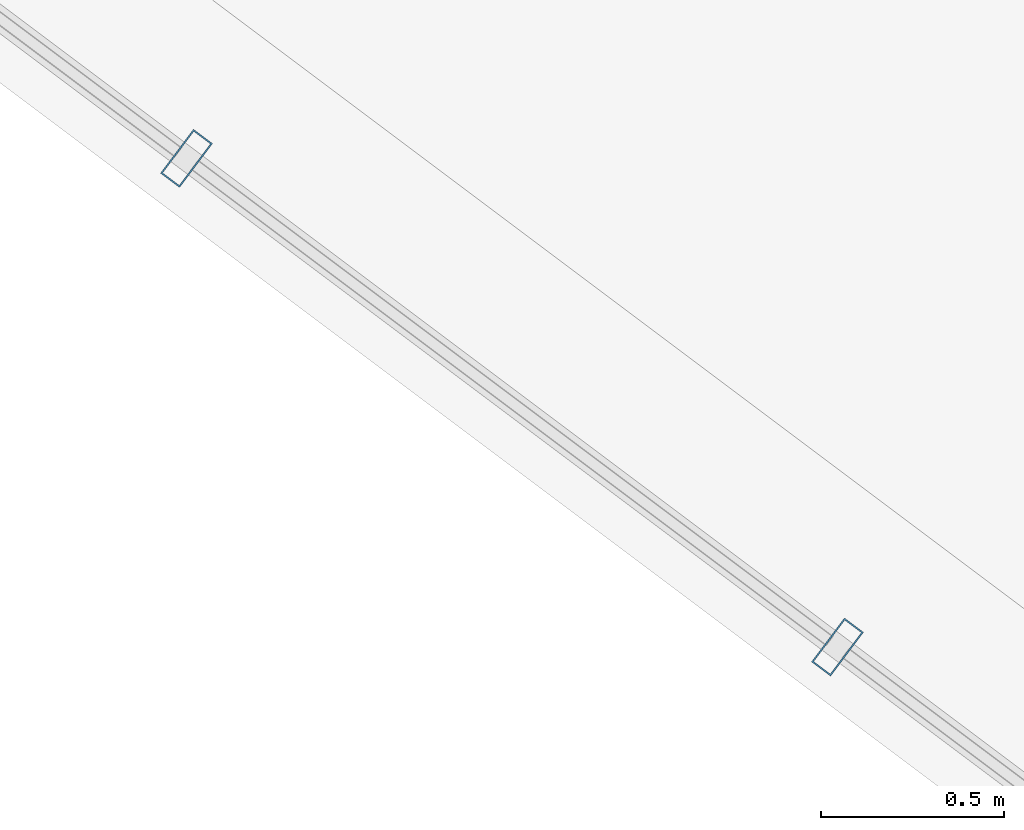
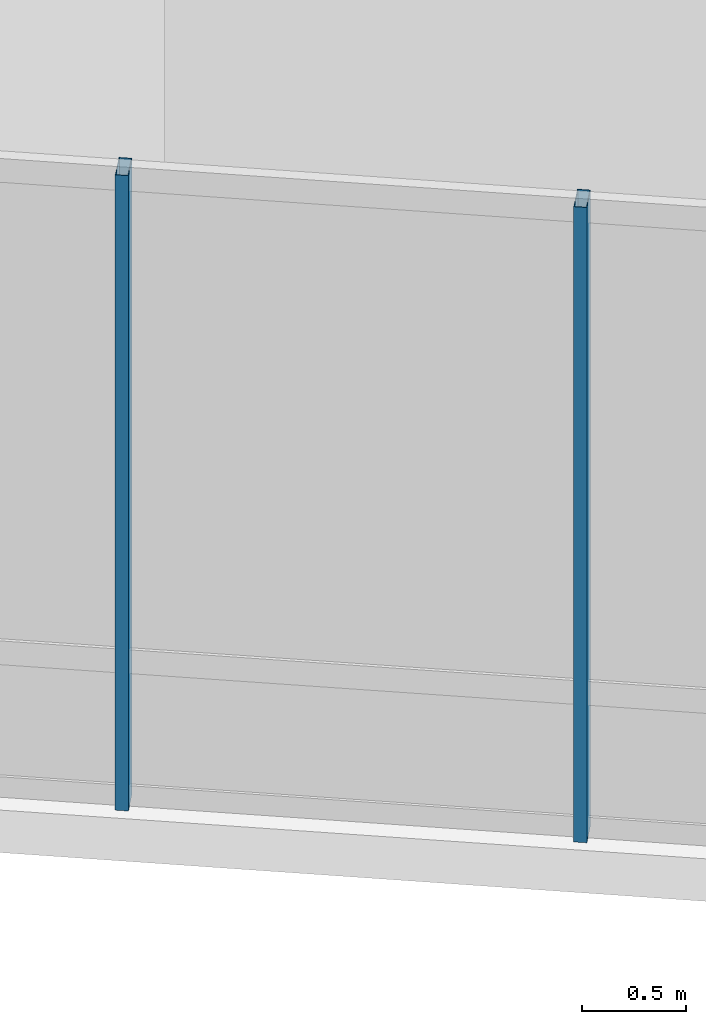
# One storey, part 4 of 31: 2 members, 1 element without a shape of its own.
"""IFC4 building model written with IfcOpenShell, lengths in metres."""

from ifc_helpers import new_model, si_unit, direction, frame, origin, origin_2d, place, context, subcontext, project, spatial, hollow_rectangle, extrude, material, layer, layer_set, material_profile, profile_set, type_object, element, aggregate, save


model = new_model("IFC4")

# Units and contexts
model_context = context("Model", 3, precision=1e-05, world=origin(), true_north=direction((0.0, 1.0)))
body_context = subcontext(model_context, "Body", "Model", "MODEL_VIEW")
ifc_project = project(units=[si_unit("LENGTHUNIT", "METRE"), si_unit("AREAUNIT", "SQUARE_METRE"), si_unit("VOLUMEUNIT", "CUBIC_METRE"), si_unit("PLANEANGLEUNIT", "RADIAN"), si_unit("MASSUNIT", "GRAM", prefix="KILO")], contexts=[model_context])

# Site, building, storey
site_placement = place(None, origin())
site = spatial("IfcSite", under=ifc_project, at=site_placement, CompositionType="ELEMENT")
building_placement = place(site_placement, origin())
building = spatial("IfcBuilding", under=site, at=building_placement, Name="Hatsunagi Terrace Concourse", CompositionType="ELEMENT")
storey_placement = place(building_placement, frame((0.0, 0.0, 269.949951171875)))
storey = spatial("IfcBuildingStorey", under=building, at=storey_placement, Name="L71", CompositionType="ELEMENT", Elevation=269.949951171875)

# Curtain wall, members
ifc_material_1 = material(Name="Anodised Aluminium Alloy 6063-T5", Category="aluminium")
ifc_layer = layer(ifc_material_1, 0.199951171875)
ifc_layer_set = layer_set([ifc_layer], Name="CrownWintergarden_CW06")
curtain_wall_type = type_object("IfcCurtainWallType", Name="CrownWintergarden_CW06", PredefinedType="NOTDEFINED", material=ifc_layer_set)
curtain_wall_placement = place(storey_placement, origin())
curtain_wall = element("IfcCurtainWall", 1, at=curtain_wall_placement, inside=storey, type_object=curtain_wall_type, Name="Unitised Curtain Wall CW-06 CW-L71-05", PredefinedType="NOTDEFINED")
ifc_material_2 = material(Name="Anodised Aluminium Alloy 6063-T5", Category="aluminium")
ifc_material_profile = material_profile(ifc_material_2, hollow_rectangle(XDim=0.06494140625, YDim=0.14990234375, WallThickness=0.00390625, at=origin_2d()), Name="ALU-MUL-150x65x4")
ifc_profile_set = profile_set([ifc_material_profile], Name="Anodised Aluminium Alloy 6063-T5")
member_type = type_object("IfcMemberType", Name="CurtainWallMullion_Crown_150x65", PredefinedType="MULLION", material=ifc_profile_set)
member_1_placement = place(storey_placement, frame((32.373046875, 18.195068359375, 0.0), z_axis=(0.0, 0.0, 1.0), x_axis=(-0.800007305671, 0.599990258982, 0.0)))
member_1 = element("IfcMember", 2, at=member_1_placement, type_object=member_type, Name="Curtain Wall Mullion MUL-03", PredefinedType="MULLION", context=body_context, shape_type="SweptSolid", body=[
    extrude(hollow_rectangle(XDim=0.06494140625, YDim=0.14990234375, WallThickness=0.00390625, at=origin_2d()), origin(), (0.0, 0.0, 1.0), 3.739990234375),
])
member_2_placement = place(storey_placement, frame((30.592041015625, 19.531982421875, 0.0), z_axis=(0.0, 0.0, 1.0), x_axis=(-0.800007305671, 0.599990258982, 0.0)))
member_2 = element("IfcMember", 3, at=member_2_placement, type_object=member_type, Name="Curtain Wall Mullion MUL-03", PredefinedType="MULLION", context=body_context, shape_type="SweptSolid", body=[
    extrude(hollow_rectangle(XDim=0.06494140625, YDim=0.14990234375, WallThickness=0.00390625, at=origin_2d()), origin(), (0.0, 0.0, 1.0), 3.739990234375),
])
aggregate(curtain_wall, [member_1, member_2])

save(model, "model.ifc")
